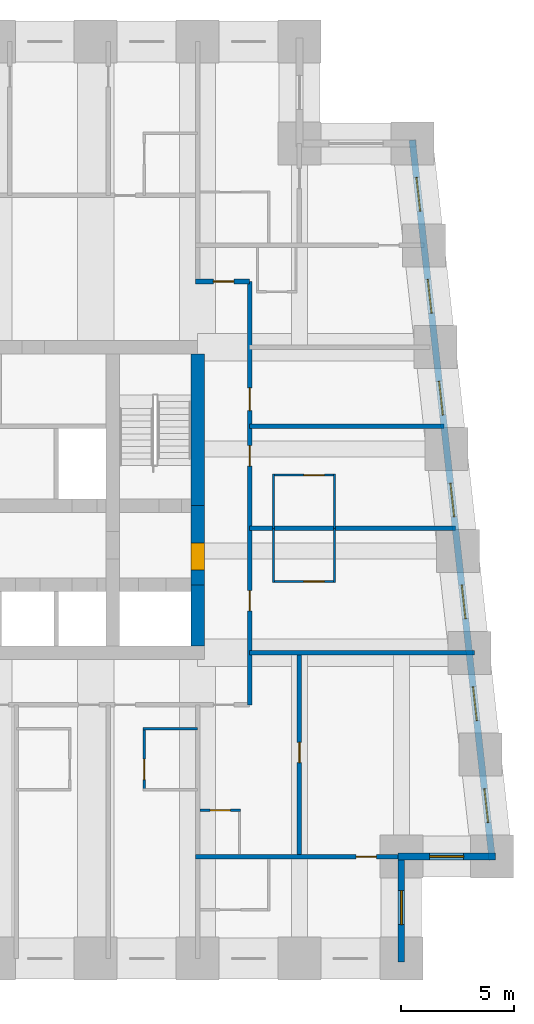
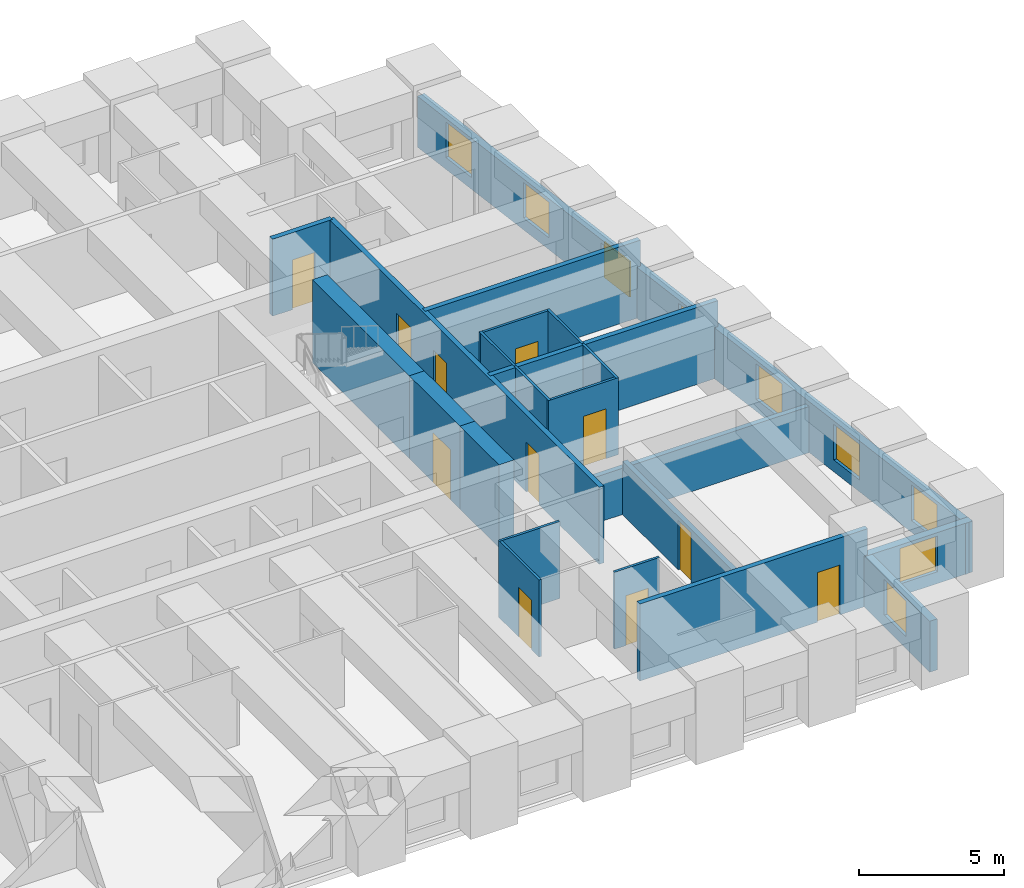
# One storey, part 5 of 8: 22 walls, 11 doors, 9 windows, 20 openings.
"""IFC4 building model written with IfcOpenShell, lengths in metres."""

import ifcopenshell
import ifcopenshell.guid

model = None  # the IFC model being written
_history = None  # IfcOwnerHistory: only IFC2X3 demands one
_inside = {}  # id of a spatial element -> (the spatial element, [elements in it])
_under = {}  # id of a project, library or spatial element -> (it, [spatial elements below it])
_declared = {}  # id of a project -> (the project, [libraries it declares])
_typed = {}  # id of a type object -> (the type object, [elements of that type])
_made_of = {}  # id of a material, layer set ... -> (it, [elements and type objects made of it])


def new_model(schema):
    """Start an empty IFC model of exactly this schema.

    Asked for "IFC4X3", IfcOpenShell would pick the latest addendum, in which some entities
    have other attributes; the version numbers below select the first issue.
    IFC2X3 requires an IfcOwnerHistory on every rooted entity: one is made here for all.
    """
    global model, _history
    if schema == "IFC4X3":
        model = ifcopenshell.file(schema_version=(4, 3, 0, 0))
    else:
        model = ifcopenshell.file(schema=schema)
    _inside.clear()
    _under.clear()
    _declared.clear()
    _typed.clear()
    _made_of.clear()
    _history = None
    if model.schema == "IFC2X3":
        org = make("IfcOrganization", Name="unknown")
        user = make(
            "IfcPersonAndOrganization",
            ThePerson=make("IfcPerson", FamilyName="unknown"),
            TheOrganization=org,
        )
        app = make(
            "IfcApplication",
            ApplicationDeveloper=org,
            Version="unknown",
            ApplicationFullName="unknown",
            ApplicationIdentifier="unknown",
        )
        _history = make(
            "IfcOwnerHistory",
            OwningUser=user,
            OwningApplication=app,
            ChangeAction="ADDED",
            CreationDate=0,
        )
    return model


def make(cls, **values):
    """One entity of the class cls with the attributes given. An attribute that is None is left unset."""
    return model.create_entity(
        cls, **{name: value for name, value in values.items() if value is not None}
    )


def rooted(cls, **values):
    """An entity with a GlobalId (a new one), such as an element, a storey or a relation."""
    return make(cls, GlobalId=ifcopenshell.guid.new(), OwnerHistory=_history, **values)


def si_unit(unit_type, name, prefix=None):
    """IfcSIUnit, for example si_unit("LENGTHUNIT", "METRE", prefix="MILLI")."""
    return make("IfcSIUnit", UnitType=unit_type, Prefix=prefix, Name=name)


def assignment(units):
    """IfcUnitAssignment: the units of a project."""
    return None if units is None else make("IfcUnitAssignment", Units=units)


def point(xyz):
    """IfcCartesianPoint."""
    return None if xyz is None else make("IfcCartesianPoint", Coordinates=xyz)


def direction(xyz):
    """IfcDirection."""
    return None if xyz is None else make("IfcDirection", DirectionRatios=xyz)


def frame(location, z_axis=None, x_axis=None):
    """IfcAxis2Placement3D, a coordinate frame: its origin and axes. An axis left out is left unset."""
    return make(
        "IfcAxis2Placement3D",
        Location=point(location),
        Axis=direction(z_axis),
        RefDirection=direction(x_axis),
    )


def frame_2d(location, x_axis=None):
    """IfcAxis2Placement2D, a coordinate frame in the plane: its origin and x axis."""
    return make(
        "IfcAxis2Placement2D", Location=point(location), RefDirection=direction(x_axis)
    )


def origin():
    """The frame at (0, 0, 0) with its axes left unset."""
    return frame((0.0, 0.0, 0.0))


def place(relative_to, where):
    """IfcLocalPlacement: puts the frame where relative to a parent placement (None: the world)."""
    return make(
        "IfcLocalPlacement", PlacementRelTo=relative_to, RelativePlacement=where
    )


def context(
    kind, dimensions, precision=None, world=None, true_north=None, identifier=None
):
    """IfcGeometricRepresentationContext, for example the 3D "Model" context."""
    return make(
        "IfcGeometricRepresentationContext",
        ContextIdentifier=identifier,
        ContextType=kind,
        CoordinateSpaceDimension=dimensions,
        Precision=precision,
        WorldCoordinateSystem=world,
        TrueNorth=true_north,
    )


def subcontext(parent, identifier, kind, view, scale=None):
    """IfcGeometricRepresentationSubContext, for example "Body" below "Model"."""
    return make(
        "IfcGeometricRepresentationSubContext",
        ContextIdentifier=identifier,
        ContextType=kind,
        ParentContext=parent,
        TargetScale=scale,
        TargetView=view,
    )


def project(units=None, contexts=None):
    """IfcProject with its units and contexts."""
    return rooted(
        "IfcProject",
        Name="project",
        RepresentationContexts=contexts,
        UnitsInContext=assignment(units),
    )


def spatial(cls, under=None, at=None, **own):
    """A site, building, storey or space (cls), placed at a placement, below another one or the project."""
    s = rooted(cls, ObjectPlacement=at, **own)
    if under is not None:
        _under.setdefault(under.id(), (under, []))[1].append(s)
    return s


def profile(cls, at=None, kind="AREA", **sizes):
    """A parametric profile (cls). Its sizes go by their IFC names, for example OverallWidth=200.0."""
    return make(cls, ProfileType=kind, Position=at, **sizes)


def rectangle(**sizes):
    """IfcRectangleProfileDef."""
    return profile("IfcRectangleProfileDef", **sizes)


def extrude(swept, where, along, depth):
    """IfcExtrudedAreaSolid: the profile swept, set in the frame where, extruded along a direction by depth."""
    return make(
        "IfcExtrudedAreaSolid",
        SweptArea=swept,
        Position=where,
        ExtrudedDirection=direction(along),
        Depth=depth,
    )


def shape(context_of_items, identifier, shape_type, items):
    """IfcShapeRepresentation: the items that make up one representation, for example the "Body"."""
    return make(
        "IfcShapeRepresentation",
        ContextOfItems=context_of_items,
        RepresentationIdentifier=identifier,
        RepresentationType=shape_type,
        Items=items,
    )


def material(Name=None, Category=None):
    """IfcMaterial."""
    return make("IfcMaterial", Name=Name, Category=Category)


def layer(
    of_material, thickness, ventilated=None, Name=None, Category=None, Priority=None
):
    """IfcMaterialLayer: one layer of a wall or slab, of a material (None: an air gap)."""
    return make(
        "IfcMaterialLayer",
        Material=of_material,
        LayerThickness=thickness,
        IsVentilated=ventilated,
        Name=Name,
        Category=Category,
        Priority=Priority,
    )


def layer_set(layers, Name=None):
    """IfcMaterialLayerSet."""
    return make("IfcMaterialLayerSet", MaterialLayers=layers, LayerSetName=Name)


def made_of(thing, what):
    """Note that an element or type object is made of a material, layer set ...; save() writes the relation."""
    if what is not None:
        _made_of.setdefault(what.id(), (what, []))[1].append(thing)
    return thing


def type_object(cls, material=None, **own):
    """A type object (cls), such as IfcWallType, which elements share."""
    return made_of(rooted(cls, **own), material)


def element(
    cls,
    number,
    at=None,
    inside=None,
    cuts=None,
    type_object=None,
    material=None,
    context=None,
    identifier="Body",
    shape_type=None,
    held_by="IfcProductDefinitionShape",
    body=None,
    shapes=None,
    **own,
):
    """One element of the class cls, such as IfcWall. Its Tag is "e" and its number.

    at: its placement. inside: the storey or other place that contains it. cuts: it is an
    opening in that element (IfcRelVoidsElement). A single representation is given by context,
    identifier, shape_type and body (its items); several are given by shapes. held_by: the class
    of the entity that holds the representations. save() writes the other relations.
    """
    e = rooted(cls, Tag="e%d" % number, ObjectPlacement=at, **own)
    if body is not None:
        shapes = [shape(context, identifier, shape_type, body)]
    if shapes is not None:
        e.Representation = make(held_by, Representations=shapes)
    if inside is not None:
        _inside.setdefault(inside.id(), (inside, []))[1].append(e)
    if cuts is not None:
        rooted(
            "IfcRelVoidsElement", RelatingBuildingElement=cuts, RelatedOpeningElement=e
        )
    if type_object is not None:
        _typed.setdefault(type_object.id(), (type_object, []))[1].append(e)
    return made_of(e, material)


def fill(opening, filler):
    """IfcRelFillsElement: the door or window that sits in an opening."""
    return rooted(
        "IfcRelFillsElement",
        RelatingOpeningElement=opening,
        RelatedBuildingElement=filler,
    )


def aggregate(whole, parts):
    """IfcRelAggregates: a whole, such as a stair, and the parts it consists of."""
    return rooted("IfcRelAggregates", RelatingObject=whole, RelatedObjects=parts)


def save(model, path):
    """Write the relations noted so far, then the file.

    IfcRelAggregates (storeys below a building ...), IfcRelContainedInSpatialStructure (elements
    in a storey), IfcRelDefinesByType, IfcRelAssociatesMaterial and IfcRelDeclares: one each for
    every whole, place, type object, material and project.
    """
    for whole, parts in _under.values():
        aggregate(whole, parts)
    for where, things in _inside.values():
        rooted(
            "IfcRelContainedInSpatialStructure",
            RelatedElements=things,
            RelatingStructure=where,
        )
    for kind, things in _typed.values():
        rooted("IfcRelDefinesByType", RelatedObjects=things, RelatingType=kind)
    for what, things in _made_of.values():
        rooted("IfcRelAssociatesMaterial", RelatedObjects=things, RelatingMaterial=what)
    for by, libraries in _declared.values():
        rooted("IfcRelDeclares", RelatingContext=by, RelatedDefinitions=libraries)
    model.write(path)


model = new_model("IFC4")

# Units and contexts
model_context = context("Model", 3, precision=1e-05, world=origin(), true_north=direction((0.0, 1.0)))
body_context = subcontext(model_context, "Body", "Model", "MODEL_VIEW")
ifc_project = project(units=[si_unit("LENGTHUNIT", "METRE"), si_unit("AREAUNIT", "SQUARE_METRE"), si_unit("VOLUMEUNIT", "CUBIC_METRE"), si_unit("PLANEANGLEUNIT", "RADIAN"), si_unit("MASSUNIT", "GRAM", prefix="KILO")], contexts=[model_context])

# Site, building, storey
site_placement = place(None, origin())
site = spatial("IfcSite", under=ifc_project, at=site_placement, CompositionType="ELEMENT")
building_placement = place(site_placement, origin())
building = spatial("IfcBuilding", under=site, at=building_placement, Name="Kilele Tower Hotel", CompositionType="ELEMENT")
storey_placement = place(building_placement, frame((0.0, 0.0, 121.39990234375)))
storey = spatial("IfcBuildingStorey", under=building, at=storey_placement, Name="L31", CompositionType="ELEMENT", Elevation=121.39990234375)

# Wall
ifc_material_1 = material(Name="Moisture-resistant board")
ifc_layer_1 = layer(ifc_material_1, 0.10009765625)
ifc_layer_set_1 = layer_set([ifc_layer_1], Name="Moisture-resistant board")
wall_type_1 = type_object("IfcWallType", Name="Bathroom partition 100", PredefinedType="PLUMBINGWALL", material=ifc_layer_set_1)
wall_1_placement = place(storey_placement, frame((33.60009765625, 10.14990234375, 0.0), z_axis=(0.0, 0.0, 1.0), x_axis=(1.0, 0.0, 0.0)))
element("IfcWall", 1, at=wall_1_placement, inside=storey, type_object=wall_type_1, Name="Bathroom partition 100 L31", PredefinedType="PLUMBINGWALL", context=body_context, shape_type="SweptSolid", body=[
    extrude(rectangle(XDim=2.39990234375, YDim=0.10009765625, at=frame_2d((1.199951171875, 0.0))), origin(), (0.0, 0.0, 1.0), 3.25),
])

# Wall, opening, door
wall_2_placement = place(storey_placement, frame((33.64990234375, 10.199951171875, 0.0), z_axis=(0.0, 0.0, 1.0), x_axis=(0.0, -1.0, 0.0)))
wall_2 = element("IfcWall", 2, at=wall_2_placement, inside=storey, type_object=wall_type_1, Name="Bathroom partition 100 L31", PredefinedType="PLUMBINGWALL", context=body_context, shape_type="SweptSolid", body=[
    extrude(rectangle(XDim=2.800048828125, YDim=0.10009765625, at=frame_2d((1.39990234375, 0.0))), origin(), (0.0, 0.0, 1.0), 3.25),
])
opening_1_placement = place(wall_2_placement, frame((2.2998046875, 0.0, 0.0), z_axis=(0.0, 0.0, 1.0), x_axis=(-1.0, 0.0, 0.0)))
opening_1 = element("IfcOpeningElement", 3, at=opening_1_placement, cuts=wall_2, Name="Opening D2A", PredefinedType="OPENING", context=body_context, shape_type="SweptSolid", body=[
    extrude(rectangle(XDim=0.89990234375, YDim=2.10009765625, at=frame_2d((0.449951171875, 1.050048828125))), frame((0.0, 0.06005859375, 0.0), z_axis=(0.0, -1.0, 0.0), x_axis=(1.0, 0.0, 0.0)), (0.0, 0.0, 1.0), 0.1201171875),
])
ifc_material_2 = material(Name="Timber door leaf in hardwood frame", Category="wood")
door_type_1 = type_object("IfcDoorType", Name="Bathroom door 900", OperationType="SINGLE_SWING_LEFT", PredefinedType="DOOR", material=ifc_material_2)
door_1_placement = place(opening_1_placement, origin())
door_1 = element("IfcDoor", 4, at=door_1_placement, inside=storey, type_object=door_type_1, Name="Bathroom door 3105B", OperationType="SINGLE_SWING_LEFT", OverallHeight=2.10009765625, OverallWidth=0.89990234375, PredefinedType="DOOR", context=body_context, shape_type="SweptSolid", body=[
    extrude(rectangle(XDim=0.89990234375, YDim=2.10009765625, at=frame_2d((0.449951171875, 1.050048828125))), frame((0.0, 0.02490234375, 0.0), z_axis=(0.0, -1.0, 0.0), x_axis=(1.0, 0.0, 0.0)), (0.0, 0.0, 1.0), 0.050048828125),
])
fill(opening_1, door_1)

# Walls
for number, where, z_axis, x_axis, name in (
    (5, (39.35009765625, 16.60009765625, 0.0), (0.0, 0.0, 1.0), (0.0, 1.0, 0.0), "Bathroom partition 100 L31"),
    (6, (42.050048828125, 16.60009765625, 0.0), (0.0, 0.0, 1.0), (0.0, 1.0, 0.0), "Bathroom partition 100 L31"),
):
    element("IfcWall", number, at=place(storey_placement, frame(where, z_axis=z_axis, x_axis=x_axis)), inside=storey, type_object=wall_type_1, Name=name, PredefinedType="PLUMBINGWALL", context=body_context, shape_type="SweptSolid", body=[
        extrude(rectangle(XDim=2.39990234375, YDim=0.10009765625, at=frame_2d((1.199951171875, 0.0))), origin(), (0.0, 0.0, 1.0), 3.25),
    ])

# Wall, opening, door
wall_3_placement = place(storey_placement, frame((39.300048828125, 16.64990234375, 0.0), z_axis=(0.0, 0.0, 1.0), x_axis=(1.0, 0.0, 0.0)))
wall_3 = element("IfcWall", 7, at=wall_3_placement, inside=storey, type_object=wall_type_1, Name="Bathroom partition 100 L31", PredefinedType="PLUMBINGWALL", context=body_context, shape_type="SweptSolid", body=[
    extrude(rectangle(XDim=2.800048828125, YDim=0.10009765625, at=frame_2d((1.39990234375, 0.0))), origin(), (0.0, 0.0, 1.0), 3.25),
])
opening_2_placement = place(wall_3_placement, frame((2.2998046875, 0.0, 0.0), z_axis=(0.0, 0.0, 1.0), x_axis=(-1.0, 0.0, 0.0)))
opening_2 = element("IfcOpeningElement", 8, at=opening_2_placement, cuts=wall_3, Name="Opening D2A", PredefinedType="OPENING", context=body_context, shape_type="SweptSolid", body=[
    extrude(rectangle(XDim=0.89990234375, YDim=2.10009765625, at=frame_2d((0.449951171875, 1.050048828125))), frame((0.0, 0.06005859375, 0.0), z_axis=(0.0, -1.0, 0.0), x_axis=(1.0, 0.0, 0.0)), (0.0, 0.0, 1.0), 0.1201171875),
])
door_2_placement = place(opening_2_placement, origin())
door_2 = element("IfcDoor", 9, at=door_2_placement, inside=storey, type_object=door_type_1, Name="Bathroom door 3106B", OperationType="SINGLE_SWING_LEFT", OverallHeight=2.10009765625, OverallWidth=0.89990234375, PredefinedType="DOOR", context=body_context, shape_type="SweptSolid", body=[
    extrude(rectangle(XDim=0.89990234375, YDim=2.10009765625, at=frame_2d((0.449951171875, 1.050048828125))), frame((0.0, 0.02490234375, 0.0), z_axis=(0.0, -1.0, 0.0), x_axis=(1.0, 0.0, 0.0)), (0.0, 0.0, 1.0), 0.050048828125),
])
fill(opening_2, door_2)

# Walls
for number, where, z_axis, x_axis, name in (
    (10, (39.35009765625, 19.0, 0.0), (0.0, 0.0, 1.0), (0.0, 1.0, 0.0), "Bathroom partition 100 L31"),
    (11, (42.050048828125, 19.0, 0.0), (0.0, 0.0, 1.0), (0.0, 1.0, 0.0), "Bathroom partition 100 L31"),
):
    element("IfcWall", number, at=place(storey_placement, frame(where, z_axis=z_axis, x_axis=x_axis)), inside=storey, type_object=wall_type_1, Name=name, PredefinedType="PLUMBINGWALL", context=body_context, shape_type="SweptSolid", body=[
        extrude(rectangle(XDim=2.39990234375, YDim=0.10009765625, at=frame_2d((1.199951171875, 0.0))), origin(), (0.0, 0.0, 1.0), 3.25),
    ])

# Wall, opening, door
wall_4_placement = place(storey_placement, frame((39.300048828125, 21.35009765625, 0.0), z_axis=(0.0, 0.0, 1.0), x_axis=(1.0, 0.0, 0.0)))
wall_4 = element("IfcWall", 12, at=wall_4_placement, inside=storey, type_object=wall_type_1, Name="Bathroom partition 100 L31", PredefinedType="PLUMBINGWALL", context=body_context, shape_type="SweptSolid", body=[
    extrude(rectangle(XDim=2.800048828125, YDim=0.10009765625, at=frame_2d((1.39990234375, 0.0))), origin(), (0.0, 0.0, 1.0), 3.25),
])
opening_3_placement = place(wall_4_placement, frame((1.39990234375, 0.0, 0.0)))
opening_3 = element("IfcOpeningElement", 13, at=opening_3_placement, cuts=wall_4, Name="Opening D2A", PredefinedType="OPENING", context=body_context, shape_type="SweptSolid", body=[
    extrude(rectangle(XDim=0.89990234375, YDim=2.10009765625, at=frame_2d((0.449951171875, 1.050048828125))), frame((0.0, 0.06005859375, 0.0), z_axis=(0.0, -1.0, 0.0), x_axis=(1.0, 0.0, 0.0)), (0.0, 0.0, 1.0), 0.1201171875),
])
door_3_placement = place(opening_3_placement, origin())
door_3 = element("IfcDoor", 14, at=door_3_placement, inside=storey, type_object=door_type_1, Name="Bathroom door 3107B", OperationType="SINGLE_SWING_RIGHT", OverallHeight=2.10009765625, OverallWidth=0.89990234375, PredefinedType="DOOR", context=body_context, shape_type="SweptSolid", body=[
    extrude(rectangle(XDim=0.89990234375, YDim=2.10009765625, at=frame_2d((0.449951171875, 1.050048828125))), frame((0.0, 0.02490234375, 0.0), z_axis=(0.0, -1.0, 0.0), x_axis=(1.0, 0.0, 0.0)), (0.0, 0.0, 1.0), 0.050048828125),
])
fill(opening_3, door_3)

wall_5_placement = place(storey_placement, frame((36.10009765625, 6.550048828125, 0.0), z_axis=(0.0, 0.0, 1.0), x_axis=(1.0, 0.0, 0.0)))
wall_5 = element("IfcWall", 15, at=wall_5_placement, inside=storey, type_object=wall_type_1, Name="Bathroom partition 100 L31", PredefinedType="PLUMBINGWALL", context=body_context, shape_type="SweptSolid", body=[
    extrude(rectangle(XDim=1.7998046875, YDim=0.10009765625, at=frame_2d((0.89990234375, 0.0))), origin(), (0.0, 0.0, 1.0), 3.25),
])
opening_4_placement = place(wall_5_placement, frame((0.449951171875, 0.0, 0.0)))
opening_4 = element("IfcOpeningElement", 16, at=opening_4_placement, cuts=wall_5, Name="Opening D2A", PredefinedType="OPENING", context=body_context, shape_type="SweptSolid", body=[
    extrude(rectangle(XDim=0.89990234375, YDim=2.10009765625, at=frame_2d((0.449951171875, 1.050048828125))), frame((0.0, 0.06005859375, 0.0), z_axis=(0.0, -1.0, 0.0), x_axis=(1.0, 0.0, 0.0)), (0.0, 0.0, 1.0), 0.1201171875),
])
door_4_placement = place(opening_4_placement, origin())
door_4 = element("IfcDoor", 17, at=door_4_placement, inside=storey, type_object=door_type_1, Name="Bathroom door 3120P", OperationType="SINGLE_SWING_LEFT", OverallHeight=2.10009765625, OverallWidth=0.89990234375, PredefinedType="DOOR", context=body_context, shape_type="SweptSolid", body=[
    extrude(rectangle(XDim=0.89990234375, YDim=2.10009765625, at=frame_2d((0.449951171875, 1.050048828125))), frame((0.0, 0.02490234375, 0.0), z_axis=(0.0, -1.0, 0.0), x_axis=(1.0, 0.0, 0.0)), (0.0, 0.0, 1.0), 0.050048828125),
])
fill(opening_4, door_4)

# Wall
ifc_material_3 = material(Name="Concrete C60/75", Category="concrete")
ifc_layer_2 = layer(ifc_material_3, 0.60009765625)
ifc_layer_set_2 = layer_set([ifc_layer_2], Name="Concrete C60/75")
wall_type_2 = type_object("IfcWallType", Name="Core wall 600 C60/75", PredefinedType="SHEAR", material=ifc_layer_set_2)
wall_6_placement = place(storey_placement, frame((36.0, 13.800048828125, 0.0), z_axis=(0.0, 0.0, 1.0), x_axis=(0.0, 1.0, 0.0)))
element("IfcWall", 18, at=wall_6_placement, inside=storey, type_object=wall_type_2, Name="Core wall E1 L31", PredefinedType="SHEAR", context=body_context, shape_type="SweptSolid", body=[
    extrude(rectangle(XDim=2.699951171875, YDim=0.60009765625, at=frame_2d((1.35009765625, 0.0))), origin(), (0.0, 0.0, 1.0), 3.5),
])

# Wall, opening, door
wall_7_placement = place(storey_placement, frame((36.0, 16.5, 0.0), z_axis=(0.0, 0.0, 1.0), x_axis=(0.0, 1.0, 0.0)))
wall_7 = element("IfcWall", 19, at=wall_7_placement, inside=storey, type_object=wall_type_2, Name="Core wall E2 L31", PredefinedType="SHEAR", context=body_context, shape_type="SweptSolid", body=[
    extrude(rectangle(XDim=3.5, YDim=0.60009765625, at=frame_2d((1.75, 0.0))), origin(), (0.0, 0.0, 1.0), 3.5),
])
opening_5_placement = place(wall_7_placement, frame((0.64990234375, 0.0, 0.0)))
opening_5 = element("IfcOpeningElement", 20, at=opening_5_placement, cuts=wall_7, Name="Opening D4", PredefinedType="OPENING", context=body_context, shape_type="SweptSolid", body=[
    extrude(rectangle(XDim=1.199951171875, YDim=2.10009765625, at=frame_2d((0.60009765625, 1.050048828125))), frame((0.0, 0.31005859375, 0.0), z_axis=(0.0, -1.0, 0.0), x_axis=(1.0, 0.0, 0.0)), (0.0, 0.0, 1.0), 0.6201171875),
])
ifc_material_4 = material(Name="Timber door leaf in hardwood frame", Category="wood")
door_type_2 = type_object("IfcDoorType", Name="Firefighting lobby door 1200", OperationType="SINGLE_SWING_LEFT", PredefinedType="DOOR", material=ifc_material_4)
door_5_placement = place(opening_5_placement, origin())
door_5 = element("IfcDoor", 21, at=door_5_placement, inside=storey, type_object=door_type_2, Name="Lobby door L31", OperationType="SINGLE_SWING_LEFT", OverallHeight=2.10009765625, OverallWidth=1.199951171875, PredefinedType="DOOR", context=body_context, shape_type="SweptSolid", body=[
    extrude(rectangle(XDim=1.199951171875, YDim=2.10009765625, at=frame_2d((0.60009765625, 1.050048828125))), frame((0.0, 0.2998046875, 0.0), z_axis=(0.0, -1.0, 0.0), x_axis=(1.0, 0.0, 0.0)), (0.0, 0.0, 1.0), 0.599609375),
])
fill(opening_5, door_5)

# Wall
wall_8_placement = place(storey_placement, frame((36.0, 20.0, 0.0), z_axis=(0.0, 0.0, 1.0), x_axis=(0.0, 1.0, 0.0)))
element("IfcWall", 22, at=wall_8_placement, inside=storey, type_object=wall_type_2, Name="Core wall E3 L31", PredefinedType="SHEAR", context=body_context, shape_type="SweptSolid", body=[
    extrude(rectangle(XDim=6.699951171875, YDim=0.60009765625, at=frame_2d((3.35009765625, 0.0))), origin(), (0.0, 0.0, 1.0), 3.5),
])

# Wall, opening, door
ifc_material_5 = material(Name="Blockwork, plastered both sides", Category="masonry")
ifc_layer_3 = layer(ifc_material_5, 0.199951171875)
ifc_layer_set_3 = layer_set([ifc_layer_3], Name="Blockwork, plastered both sides")
wall_type_3 = type_object("IfcWallType", Name="Corridor wall 200", PredefinedType="PARTITIONING", material=ifc_layer_set_3)
wall_9_placement = place(storey_placement, frame((35.89990234375, 29.89990234375, 0.0), z_axis=(0.0, 0.0, 1.0), x_axis=(1.0, 0.0, 0.0)))
wall_9 = element("IfcWall", 23, at=wall_9_placement, inside=storey, type_object=wall_type_3, Name="Corridor wall 200 L31", PredefinedType="PARTITIONING", context=body_context, shape_type="SweptSolid", body=[
    extrude(rectangle(XDim=2.400146484375, YDim=0.199951171875, at=frame_2d((1.2001953125, 0.0))), origin(), (0.0, 0.0, 1.0), 3.25),
])
opening_6_placement = place(wall_9_placement, frame((0.800048828125, 0.0, 0.0)))
opening_6 = element("IfcOpeningElement", 24, at=opening_6_placement, cuts=wall_9, Name="Opening D1", PredefinedType="OPENING", context=body_context, shape_type="SweptSolid", body=[
    extrude(rectangle(XDim=0.89990234375, YDim=2.10009765625, at=frame_2d((0.449951171875, 1.050048828125))), frame((0.0, 0.10986328125, 0.0), z_axis=(0.0, -1.0, 0.0), x_axis=(1.0, 0.0, 0.0)), (0.0, 0.0, 1.0), 0.219970703125),
])
ifc_material_6 = material(Name="Timber door leaf in hardwood frame", Category="wood")
door_type_3 = type_object("IfcDoorType", Name="Guest room entrance door 900", OperationType="SINGLE_SWING_LEFT", PredefinedType="DOOR", material=ifc_material_6)
door_6_placement = place(opening_6_placement, origin())
door_6 = element("IfcDoor", 25, at=door_6_placement, inside=storey, type_object=door_type_3, Name="Room entrance 3123", OperationType="SINGLE_SWING_LEFT", OverallHeight=2.10009765625, OverallWidth=0.89990234375, PredefinedType="DOOR", context=body_context, shape_type="SweptSolid", body=[
    extrude(rectangle(XDim=0.89990234375, YDim=2.10009765625, at=frame_2d((0.449951171875, 1.050048828125))), frame((0.0, 0.02490234375, 0.0), z_axis=(0.0, -1.0, 0.0), x_axis=(1.0, 0.0, 0.0)), (0.0, 0.0, 1.0), 0.050048828125),
])
fill(opening_6, door_6)

# Wall, openings, doors
wall_10_placement = place(storey_placement, frame((38.300048828125, 11.199951171875, 0.0), z_axis=(0.0, 0.0, 1.0), x_axis=(0.0, 1.0, 0.0)))
wall_10 = element("IfcWall", 26, at=wall_10_placement, inside=storey, type_object=wall_type_3, Name="Corridor wall 200 L31", PredefinedType="PARTITIONING", context=body_context, shape_type="SweptSolid", body=[
    extrude(rectangle(XDim=18.699951171875, YDim=0.199951171875, at=frame_2d((9.35009765625, 0.0))), origin(), (0.0, 0.0, 1.0), 3.25),
])
opening_7_placement = place(wall_10_placement, frame((5.0498046875, 0.0, 0.0), z_axis=(0.0, 0.0, 1.0), x_axis=(-1.0, 0.0, 0.0)))
opening_7 = element("IfcOpeningElement", 27, at=opening_7_placement, cuts=wall_10, Name="Opening D1", PredefinedType="OPENING", context=body_context, shape_type="SweptSolid", body=[
    extrude(rectangle(XDim=0.89990234375, YDim=2.10009765625, at=frame_2d((0.449951171875, 1.050048828125))), frame((0.0, 0.10986328125, 0.0), z_axis=(0.0, -1.0, 0.0), x_axis=(1.0, 0.0, 0.0)), (0.0, 0.0, 1.0), 0.219970703125),
])
opening_8_placement = place(wall_10_placement, frame((11.449951171875, 0.0, 0.0), z_axis=(0.0, 0.0, 1.0), x_axis=(-1.0, 0.0, 0.0)))
opening_8 = element("IfcOpeningElement", 28, at=opening_8_placement, cuts=wall_10, Name="Opening D1", PredefinedType="OPENING", context=body_context, shape_type="SweptSolid", body=[
    extrude(rectangle(XDim=0.89990234375, YDim=2.10009765625, at=frame_2d((0.449951171875, 1.050048828125))), frame((0.0, 0.10986328125, 0.0), z_axis=(0.0, -1.0, 0.0), x_axis=(1.0, 0.0, 0.0)), (0.0, 0.0, 1.0), 0.219970703125),
])
opening_9_placement = place(wall_10_placement, frame((14.0, 0.0, 0.0), z_axis=(0.0, 0.0, 1.0), x_axis=(-1.0, 0.0, 0.0)))
opening_9 = element("IfcOpeningElement", 29, at=opening_9_placement, cuts=wall_10, Name="Opening D8", PredefinedType="OPENING", context=body_context, shape_type="SweptSolid", body=[
    extrude(rectangle(XDim=1.0, YDim=2.10009765625, at=frame_2d((0.5, 1.050048828125))), frame((0.0, 0.10986328125, 0.0), z_axis=(0.0, -1.0, 0.0), x_axis=(1.0, 0.0, 0.0)), (0.0, 0.0, 1.0), 0.219970703125),
])
ifc_material_7 = material(Name="Timber door leaf in hardwood frame", Category="wood")
door_type_4 = type_object("IfcDoorType", Name="Door 1000", OperationType="SINGLE_SWING_LEFT", PredefinedType="DOOR", material=ifc_material_7)
door_7_placement = place(opening_9_placement, origin())
door_7 = element("IfcDoor", 30, at=door_7_placement, inside=storey, type_object=door_type_4, Name="Room entrance 3108", OperationType="SINGLE_SWING_RIGHT", OverallHeight=2.10009765625, OverallWidth=1.0, PredefinedType="DOOR", context=body_context, shape_type="SweptSolid", body=[
    extrude(rectangle(XDim=1.0, YDim=2.10009765625, at=frame_2d((0.5, 1.050048828125))), frame((0.0, 0.02490234375, 0.0), z_axis=(0.0, -1.0, 0.0), x_axis=(1.0, 0.0, 0.0)), (0.0, 0.0, 1.0), 0.050048828125),
])
fill(opening_9, door_7)
door_8_placement = place(opening_7_placement, origin())
door_8 = element("IfcDoor", 31, at=door_8_placement, inside=storey, type_object=door_type_3, Name="Room entrance 3106", OperationType="SINGLE_SWING_LEFT", OverallHeight=2.10009765625, OverallWidth=0.89990234375, PredefinedType="DOOR", context=body_context, shape_type="SweptSolid", body=[
    extrude(rectangle(XDim=0.89990234375, YDim=2.10009765625, at=frame_2d((0.449951171875, 1.050048828125))), frame((0.0, 0.02490234375, 0.0), z_axis=(0.0, -1.0, 0.0), x_axis=(1.0, 0.0, 0.0)), (0.0, 0.0, 1.0), 0.050048828125),
])
fill(opening_7, door_8)
door_9_placement = place(opening_8_placement, origin())
door_9 = element("IfcDoor", 32, at=door_9_placement, inside=storey, type_object=door_type_3, Name="Room entrance 3107", OperationType="SINGLE_SWING_RIGHT", OverallHeight=2.10009765625, OverallWidth=0.89990234375, PredefinedType="DOOR", context=body_context, shape_type="SweptSolid", body=[
    extrude(rectangle(XDim=0.89990234375, YDim=2.10009765625, at=frame_2d((0.449951171875, 1.050048828125))), frame((0.0, 0.02490234375, 0.0), z_axis=(0.0, -1.0, 0.0), x_axis=(1.0, 0.0, 0.0)), (0.0, 0.0, 1.0), 0.050048828125),
])
fill(opening_8, door_9)

# Wall, opening, door
ifc_material_8 = material(Name="Blockwork, plastered both sides", Category="masonry")
ifc_layer_4 = layer(ifc_material_8, 0.199951171875)
ifc_layer_set_4 = layer_set([ifc_layer_4], Name="Blockwork, plastered both sides")
wall_type_4 = type_object("IfcWallType", Name="Partition wall 200", PredefinedType="PARTITIONING", material=ifc_layer_set_4)
wall_11_placement = place(storey_placement, frame((40.5, 4.60009765625, 0.0), z_axis=(0.0, 0.0, 1.0), x_axis=(0.0, 1.0, 0.0)))
wall_11 = element("IfcWall", 33, at=wall_11_placement, inside=storey, type_object=wall_type_4, Name="Partition wall 200 L31", PredefinedType="PARTITIONING", context=body_context, shape_type="SweptSolid", body=[
    extrude(rectangle(XDim=8.7998046875, YDim=0.199951171875, at=frame_2d((4.39990234375, 0.0))), origin(), (0.0, 0.0, 1.0), 2.25),
])
opening_10_placement = place(wall_11_placement, frame((4.050048828125, 0.0, 0.0)))
opening_10 = element("IfcOpeningElement", 34, at=opening_10_placement, cuts=wall_11, Name="Opening D3", PredefinedType="OPENING", context=body_context, shape_type="SweptSolid", body=[
    extrude(rectangle(XDim=0.89990234375, YDim=2.10009765625, at=frame_2d((0.449951171875, 1.050048828125))), frame((0.0, 0.10986328125, 0.0), z_axis=(0.0, -1.0, 0.0), x_axis=(1.0, 0.0, 0.0)), (0.0, 0.0, 1.0), 0.219970703125),
])
ifc_material_9 = material(Name="Timber door leaf in hardwood frame", Category="wood")
door_type_5 = type_object("IfcDoorType", Name="Suite internal door 900", OperationType="SINGLE_SWING_LEFT", PredefinedType="DOOR", material=ifc_material_9)
door_10_placement = place(opening_10_placement, origin())
door_10 = element("IfcDoor", 35, at=door_10_placement, inside=storey, type_object=door_type_5, Name="Suite door 3121", OperationType="SINGLE_SWING_RIGHT", OverallHeight=2.10009765625, OverallWidth=0.89990234375, PredefinedType="DOOR", context=body_context, shape_type="SweptSolid", body=[
    extrude(rectangle(XDim=0.89990234375, YDim=2.10009765625, at=frame_2d((0.449951171875, 1.050048828125))), frame((0.0, 0.02490234375, 0.0), z_axis=(0.0, -1.0, 0.0), x_axis=(1.0, 0.0, 0.0)), (0.0, 0.0, 1.0), 0.050048828125),
])
fill(opening_10, door_10)

# Walls
ifc_material_10 = material(Name="Blockwork, plastered both sides", Category="masonry")
ifc_layer_5 = layer(ifc_material_10, 0.199951171875)
ifc_layer_set_5 = layer_set([ifc_layer_5], Name="Blockwork, plastered both sides")
wall_type_5 = type_object("IfcWallType", Name="Party wall 200", PredefinedType="PARTITIONING", material=ifc_layer_set_5)
wall_12_placement = place(storey_placement, frame((38.300048828125, 19.0, 0.0), z_axis=(0.0, 0.0, 1.0), x_axis=(1.0, 0.0, 0.0)))
element("IfcWall", 36, at=wall_12_placement, inside=storey, type_object=wall_type_5, Name="Party wall 200 L31", PredefinedType="PARTITIONING", context=body_context, shape_type="SweptSolid", body=[
    extrude(rectangle(XDim=9.087890625, YDim=0.199951171875, at=frame_2d((4.5439453125, 0.0))), origin(), (0.0, 0.0, 1.0), 3.25),
])
wall_13_placement = place(storey_placement, frame((38.300048828125, 23.5, 0.0), z_axis=(0.0, 0.0, 1.0), x_axis=(1.0, 0.0, 0.0)))
element("IfcWall", 37, at=wall_13_placement, inside=storey, type_object=wall_type_5, Name="Party wall 200 L31", PredefinedType="PARTITIONING", context=body_context, shape_type="SweptSolid", body=[
    extrude(rectangle(XDim=8.587890625, YDim=0.199951171875, at=frame_2d((4.2939453125, 0.0))), origin(), (0.0, 0.0, 1.0), 3.25),
])
wall_14_placement = place(storey_placement, frame((38.300048828125, 13.5, 0.0), z_axis=(0.0, 0.0, 1.0), x_axis=(1.0, 0.0, 0.0)))
element("IfcWall", 38, at=wall_14_placement, inside=storey, type_object=wall_type_5, Name="Party wall 200 L31", PredefinedType="PARTITIONING", context=body_context, shape_type="SweptSolid", body=[
    extrude(rectangle(XDim=9.921142578125, YDim=0.199951171875, at=frame_2d((4.96044921875, 0.0))), origin(), (0.0, 0.0, 1.0), 1.9501953125),
])

# Wall, opening, door
wall_15_placement = place(storey_placement, frame((35.89990234375, 4.5, 0.0), z_axis=(0.0, 0.0, 1.0), x_axis=(1.0, 0.0, 0.0)))
wall_15 = element("IfcWall", 39, at=wall_15_placement, inside=storey, type_object=wall_type_5, Name="Party wall 200 L31", PredefinedType="PARTITIONING", context=body_context, shape_type="SweptSolid", body=[
    extrude(rectangle(XDim=9.10009765625, YDim=0.199951171875, at=frame_2d((4.550048828125, 0.0))), origin(), (0.0, 0.0, 1.0), 3.25),
])
opening_11_placement = place(wall_15_placement, frame((7.10009765625, 0.0, 0.0)))
opening_11 = element("IfcOpeningElement", 40, at=opening_11_placement, cuts=wall_15, Name="Opening D3", PredefinedType="OPENING", context=body_context, shape_type="SweptSolid", body=[
    extrude(rectangle(XDim=0.89990234375, YDim=2.10009765625, at=frame_2d((0.449951171875, 1.050048828125))), frame((0.0, 0.10986328125, 0.0), z_axis=(0.0, -1.0, 0.0), x_axis=(1.0, 0.0, 0.0)), (0.0, 0.0, 1.0), 0.219970703125),
])
door_11_placement = place(opening_11_placement, origin())
door_11 = element("IfcDoor", 41, at=door_11_placement, inside=storey, type_object=door_type_5, Name="Suite door 3122", OperationType="SINGLE_SWING_RIGHT", OverallHeight=2.10009765625, OverallWidth=0.89990234375, PredefinedType="DOOR", context=body_context, shape_type="SweptSolid", body=[
    extrude(rectangle(XDim=0.89990234375, YDim=2.10009765625, at=frame_2d((0.449951171875, 1.050048828125))), frame((0.0, 0.02490234375, 0.0), z_axis=(0.0, -1.0, 0.0), x_axis=(1.0, 0.0, 0.0)), (0.0, 0.0, 1.0), 0.050048828125),
])
fill(opening_11, door_11)

# Wall, opening, window
ifc_material_11 = material(Name="Concrete C40/50 precast", Category="concrete")
ifc_layer_6 = layer(ifc_material_11, 0.260009765625, Name="Precast backing", Category="LoadBearing")
ifc_material_12 = material(Name="Reconstituted stone finish", Category="masonry")
ifc_layer_7 = layer(ifc_material_12, 0.0400390625, Name="Face mix", Category="Finish")
ifc_layer_set_6 = layer_set([ifc_layer_6, ifc_layer_7], Name="Precast concrete C40/50, reconstituted stone finish")
wall_type_6 = type_object("IfcWallType", Name="Precast stone facade wall 300", PredefinedType="STANDARD", material=ifc_layer_set_6)
wall_16_placement = place(storey_placement, frame((45.0, -0.14990234375, 0.0), z_axis=(0.0, 0.0, 1.0), x_axis=(0.0, 1.0, 0.0)))
wall_16 = element("IfcWall", 42, at=wall_16_placement, inside=storey, type_object=wall_type_6, Name="Facade wall L31 edge 4", PredefinedType="STANDARD", context=body_context, shape_type="SweptSolid", body=[
    extrude(rectangle(XDim=4.7998046875, YDim=0.300048828125, at=frame_2d((2.39990234375, 0.0))), origin(), (0.0, 0.0, 1.0), 2.150146484375),
])
opening_12_placement = place(wall_16_placement, frame((1.64990234375, 0.0, 0.5)))
opening_12 = element("IfcOpeningElement", 43, at=opening_12_placement, cuts=wall_16, Name="Opening W2", PredefinedType="OPENING", context=body_context, shape_type="SweptSolid", body=[
    extrude(rectangle(XDim=1.5, YDim=1.5, at=frame_2d((0.75, 0.75))), frame((0.0, 0.159912109375, 0.0), z_axis=(0.0, -1.0, 0.0), x_axis=(1.0, 0.0, 0.0)), (0.0, 0.0, 1.0), 0.320068359375),
])
ifc_material_13 = material(Name="Aluminium frame, clear double glazing", Category="aluminium")
window_type = type_object("IfcWindowType", Name="Window W2 1500 x 1500", PartitioningType="SINGLE_PANEL", PredefinedType="WINDOW", material=ifc_material_13)
window_1_placement = place(opening_12_placement, origin())
window_1 = element("IfcWindow", 44, at=window_1_placement, inside=storey, type_object=window_type, Name="Window L31", OverallHeight=1.5, OverallWidth=1.5, PartitioningType="SINGLE_PANEL", PredefinedType="WINDOW", context=body_context, shape_type="SweptSolid", body=[
    extrude(rectangle(XDim=1.5, YDim=1.5, at=frame_2d((0.75, 0.75))), frame((0.0, 0.030029296875, 0.0), z_axis=(0.0, -1.0, 0.0), x_axis=(1.0, 0.0, 0.0)), (0.0, 0.0, 1.0), 0.06005859375),
])
fill(opening_12, window_1)

wall_17_placement = place(storey_placement, frame((44.85009765625, 4.5, 0.0), z_axis=(0.0, 0.0, 1.0), x_axis=(1.0, 0.0, 0.0)))
wall_17 = element("IfcWall", 45, at=wall_17_placement, inside=storey, type_object=wall_type_6, Name="Facade wall L31 edge 5", PredefinedType="STANDARD", context=body_context, shape_type="SweptSolid", body=[
    extrude(rectangle(XDim=4.2998046875, YDim=0.300048828125, at=frame_2d((2.14990234375, 0.0))), origin(), (0.0, 0.0, 1.0), 2.150146484375),
])
opening_13_placement = place(wall_17_placement, frame((1.39990234375, 0.0, 0.5)))
opening_13 = element("IfcOpeningElement", 46, at=opening_13_placement, cuts=wall_17, Name="Opening W2", PredefinedType="OPENING", context=body_context, shape_type="SweptSolid", body=[
    extrude(rectangle(XDim=1.5, YDim=1.5, at=frame_2d((0.75, 0.75))), frame((0.0, 0.159912109375, 0.0), z_axis=(0.0, -1.0, 0.0), x_axis=(1.0, 0.0, 0.0)), (0.0, 0.0, 1.0), 0.320068359375),
])
window_2_placement = place(opening_13_placement, origin())
window_2 = element("IfcWindow", 47, at=window_2_placement, inside=storey, type_object=window_type, Name="Window L31", OverallHeight=1.5, OverallWidth=1.5, PartitioningType="SINGLE_PANEL", PredefinedType="WINDOW", context=body_context, shape_type="SweptSolid", body=[
    extrude(rectangle(XDim=1.5, YDim=1.5, at=frame_2d((0.75, 0.75))), frame((0.0, 0.030029296875, 0.0), z_axis=(0.0, -1.0, 0.0), x_axis=(1.0, 0.0, 0.0)), (0.0, 0.0, 1.0), 0.06005859375),
])
fill(opening_13, window_2)

# Wall, openings, windows
wall_18_placement = place(storey_placement, frame((49.0166015625, 4.350830078125, 0.0), z_axis=(0.0, 0.0, 1.0), x_axis=(-0.110433201132, 0.993883548555, 0.0)))
wall_18 = element("IfcWall", 48, at=wall_18_placement, inside=storey, type_object=wall_type_6, Name="Facade wall L31 edge 6", PredefinedType="STANDARD", context=body_context, shape_type="SweptSolid", body=[
    extrude(rectangle(XDim=31.994140625, YDim=0.300048828125, at=frame_2d((15.9970703125, 0.0))), origin(), (0.0, 0.0, 1.0), 2.150146484375),
])
opening_14_placement = place(wall_18_placement, frame((1.6640625, 0.0, 0.5)))
opening_14 = element("IfcOpeningElement", 49, at=opening_14_placement, cuts=wall_18, Name="Opening W2", PredefinedType="OPENING", context=body_context, shape_type="SweptSolid", body=[
    extrude(rectangle(XDim=1.5, YDim=1.5, at=frame_2d((0.75, 0.75))), frame((0.0, 0.159912109375, 0.0), z_axis=(0.0, -1.0, 0.0), x_axis=(1.0, 0.0, 0.0)), (0.0, 0.0, 1.0), 0.320068359375),
])
opening_15_placement = place(wall_18_placement, frame((6.19189453125, 0.0, 0.5)))
opening_15 = element("IfcOpeningElement", 50, at=opening_15_placement, cuts=wall_18, Name="Opening W2", PredefinedType="OPENING", context=body_context, shape_type="SweptSolid", body=[
    extrude(rectangle(XDim=1.5, YDim=1.5, at=frame_2d((0.75, 0.75))), frame((0.0, 0.159912109375, 0.0), z_axis=(0.0, -1.0, 0.0), x_axis=(1.0, 0.0, 0.0)), (0.0, 0.0, 1.0), 0.320068359375),
])
opening_16_placement = place(wall_18_placement, frame((10.718994140625, 0.0, 0.5)))
opening_16 = element("IfcOpeningElement", 51, at=opening_16_placement, cuts=wall_18, Name="Opening W2", PredefinedType="OPENING", context=body_context, shape_type="SweptSolid", body=[
    extrude(rectangle(XDim=1.5, YDim=1.5, at=frame_2d((0.75, 0.75))), frame((0.0, 0.159912109375, 0.0), z_axis=(0.0, -1.0, 0.0), x_axis=(1.0, 0.0, 0.0)), (0.0, 0.0, 1.0), 0.320068359375),
])
opening_17_placement = place(wall_18_placement, frame((15.2470703125, 0.0, 0.5)))
opening_17 = element("IfcOpeningElement", 52, at=opening_17_placement, cuts=wall_18, Name="Opening W2", PredefinedType="OPENING", context=body_context, shape_type="SweptSolid", body=[
    extrude(rectangle(XDim=1.5, YDim=1.5, at=frame_2d((0.75, 0.75))), frame((0.0, 0.159912109375, 0.0), z_axis=(0.0, -1.0, 0.0), x_axis=(1.0, 0.0, 0.0)), (0.0, 0.0, 1.0), 0.320068359375),
])
opening_18_placement = place(wall_18_placement, frame((19.77490234375, 0.0, 0.5)))
opening_18 = element("IfcOpeningElement", 53, at=opening_18_placement, cuts=wall_18, Name="Opening W2", PredefinedType="OPENING", context=body_context, shape_type="SweptSolid", body=[
    extrude(rectangle(XDim=1.5, YDim=1.5, at=frame_2d((0.75, 0.75))), frame((0.0, 0.159912109375, 0.0), z_axis=(0.0, -1.0, 0.0), x_axis=(1.0, 0.0, 0.0)), (0.0, 0.0, 1.0), 0.320068359375),
])
opening_19_placement = place(wall_18_placement, frame((24.302001953125, 0.0, 0.5)))
opening_19 = element("IfcOpeningElement", 54, at=opening_19_placement, cuts=wall_18, Name="Opening W2", PredefinedType="OPENING", context=body_context, shape_type="SweptSolid", body=[
    extrude(rectangle(XDim=1.5, YDim=1.5, at=frame_2d((0.75, 0.75))), frame((0.0, 0.159912109375, 0.0), z_axis=(0.0, -1.0, 0.0), x_axis=(1.0, 0.0, 0.0)), (0.0, 0.0, 1.0), 0.320068359375),
])
opening_20_placement = place(wall_18_placement, frame((28.830078125, 0.0, 0.5)))
opening_20 = element("IfcOpeningElement", 55, at=opening_20_placement, cuts=wall_18, Name="Opening W2", PredefinedType="OPENING", context=body_context, shape_type="SweptSolid", body=[
    extrude(rectangle(XDim=1.5, YDim=1.5, at=frame_2d((0.75, 0.75))), frame((0.0, 0.159912109375, 0.0), z_axis=(0.0, -1.0, 0.0), x_axis=(1.0, 0.0, 0.0)), (0.0, 0.0, 1.0), 0.320068359375),
])
window_3_placement = place(opening_14_placement, origin())
window_3 = element("IfcWindow", 56, at=window_3_placement, inside=storey, type_object=window_type, Name="Window L31", OverallHeight=1.5, OverallWidth=1.5, PartitioningType="SINGLE_PANEL", PredefinedType="WINDOW", context=body_context, shape_type="SweptSolid", body=[
    extrude(rectangle(XDim=1.5, YDim=1.5, at=frame_2d((0.75, 0.75))), frame((0.0, 0.030029296875, 0.0), z_axis=(0.0, -1.0, 0.0), x_axis=(1.0, 0.0, 0.0)), (0.0, 0.0, 1.0), 0.06005859375),
])
fill(opening_14, window_3)
window_4_placement = place(opening_15_placement, origin())
window_4 = element("IfcWindow", 57, at=window_4_placement, inside=storey, type_object=window_type, Name="Window L31", OverallHeight=1.5, OverallWidth=1.5, PartitioningType="SINGLE_PANEL", PredefinedType="WINDOW", context=body_context, shape_type="SweptSolid", body=[
    extrude(rectangle(XDim=1.5, YDim=1.5, at=frame_2d((0.75, 0.75))), frame((0.0, 0.030029296875, 0.0), z_axis=(0.0, -1.0, 0.0), x_axis=(1.0, 0.0, 0.0)), (0.0, 0.0, 1.0), 0.06005859375),
])
fill(opening_15, window_4)
window_5_placement = place(opening_16_placement, origin())
window_5 = element("IfcWindow", 58, at=window_5_placement, inside=storey, type_object=window_type, Name="Window L31", OverallHeight=1.5, OverallWidth=1.5, PartitioningType="SINGLE_PANEL", PredefinedType="WINDOW", context=body_context, shape_type="SweptSolid", body=[
    extrude(rectangle(XDim=1.5, YDim=1.5, at=frame_2d((0.75, 0.75))), frame((0.0, 0.030029296875, 0.0), z_axis=(0.0, -1.0, 0.0), x_axis=(1.0, 0.0, 0.0)), (0.0, 0.0, 1.0), 0.06005859375),
])
fill(opening_16, window_5)
window_6_placement = place(opening_17_placement, origin())
window_6 = element("IfcWindow", 59, at=window_6_placement, inside=storey, type_object=window_type, Name="Window L31", OverallHeight=1.5, OverallWidth=1.5, PartitioningType="SINGLE_PANEL", PredefinedType="WINDOW", context=body_context, shape_type="SweptSolid", body=[
    extrude(rectangle(XDim=1.5, YDim=1.5, at=frame_2d((0.75, 0.75))), frame((0.0, 0.030029296875, 0.0), z_axis=(0.0, -1.0, 0.0), x_axis=(1.0, 0.0, 0.0)), (0.0, 0.0, 1.0), 0.06005859375),
])
fill(opening_17, window_6)
window_7_placement = place(opening_18_placement, origin())
window_7 = element("IfcWindow", 60, at=window_7_placement, inside=storey, type_object=window_type, Name="Window L31", OverallHeight=1.5, OverallWidth=1.5, PartitioningType="SINGLE_PANEL", PredefinedType="WINDOW", context=body_context, shape_type="SweptSolid", body=[
    extrude(rectangle(XDim=1.5, YDim=1.5, at=frame_2d((0.75, 0.75))), frame((0.0, 0.030029296875, 0.0), z_axis=(0.0, -1.0, 0.0), x_axis=(1.0, 0.0, 0.0)), (0.0, 0.0, 1.0), 0.06005859375),
])
fill(opening_18, window_7)
window_8_placement = place(opening_19_placement, origin())
window_8 = element("IfcWindow", 61, at=window_8_placement, inside=storey, type_object=window_type, Name="Window L31", OverallHeight=1.5, OverallWidth=1.5, PartitioningType="SINGLE_PANEL", PredefinedType="WINDOW", context=body_context, shape_type="SweptSolid", body=[
    extrude(rectangle(XDim=1.5, YDim=1.5, at=frame_2d((0.75, 0.75))), frame((0.0, 0.030029296875, 0.0), z_axis=(0.0, -1.0, 0.0), x_axis=(1.0, 0.0, 0.0)), (0.0, 0.0, 1.0), 0.06005859375),
])
fill(opening_19, window_8)
window_9_placement = place(opening_20_placement, origin())
window_9 = element("IfcWindow", 62, at=window_9_placement, inside=storey, type_object=window_type, Name="Window L31", OverallHeight=1.5, OverallWidth=1.5, PartitioningType="SINGLE_PANEL", PredefinedType="WINDOW", context=body_context, shape_type="SweptSolid", body=[
    extrude(rectangle(XDim=1.5, YDim=1.5, at=frame_2d((0.75, 0.75))), frame((0.0, 0.030029296875, 0.0), z_axis=(0.0, -1.0, 0.0), x_axis=(1.0, 0.0, 0.0)), (0.0, 0.0, 1.0), 0.06005859375),
])
fill(opening_20, window_9)

save(model, "model.ifc")
